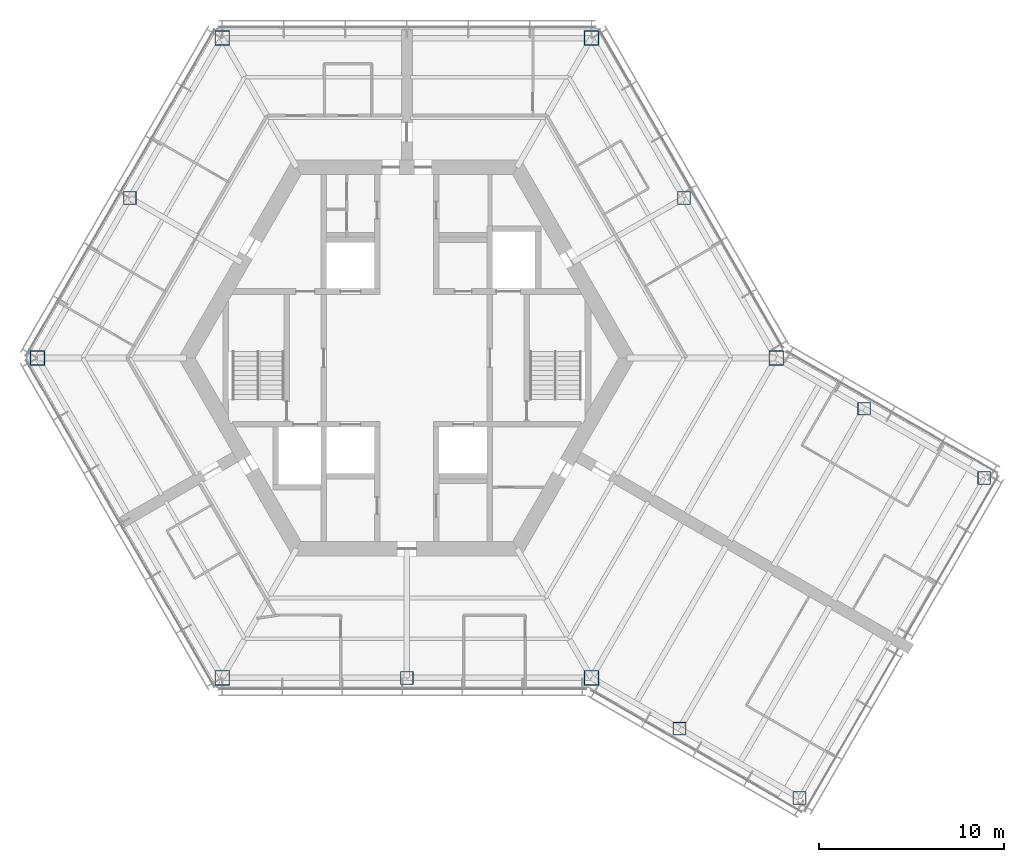
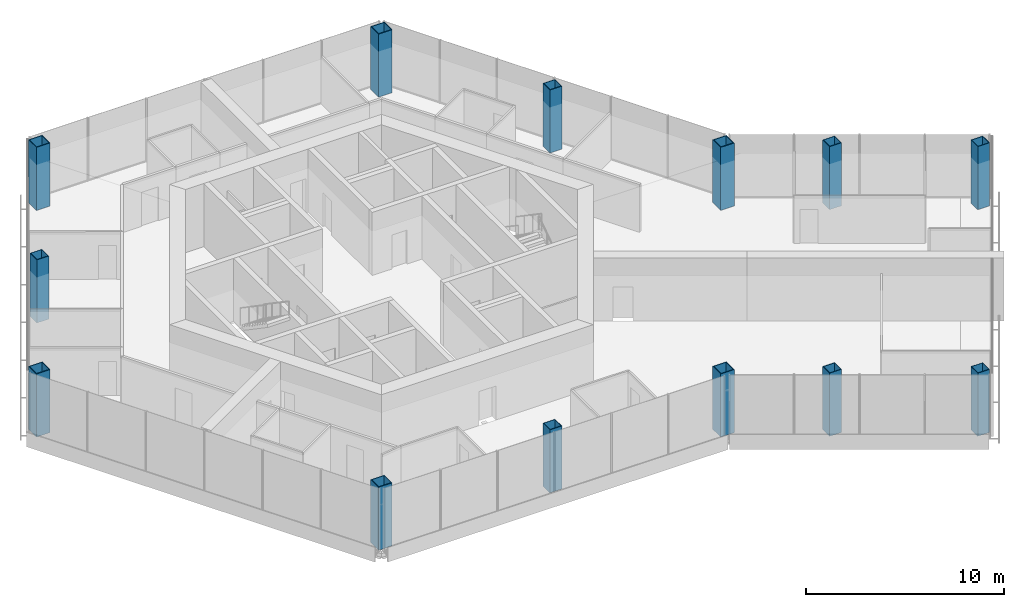
# One storey, part 1 of 16: 13 columns.
"""IFC4 building model written with IfcOpenShell, lengths in metres."""

import ifcopenshell
import ifcopenshell.guid

model = None  # the IFC model being written
_history = None  # IfcOwnerHistory: only IFC2X3 demands one
_inside = {}  # id of a spatial element -> (the spatial element, [elements in it])
_under = {}  # id of a project, library or spatial element -> (it, [spatial elements below it])
_declared = {}  # id of a project -> (the project, [libraries it declares])
_typed = {}  # id of a type object -> (the type object, [elements of that type])
_made_of = {}  # id of a material, layer set ... -> (it, [elements and type objects made of it])


def new_model(schema):
    """Start an empty IFC model of exactly this schema.

    Asked for "IFC4X3", IfcOpenShell would pick the latest addendum, in which some entities
    have other attributes; the version numbers below select the first issue.
    IFC2X3 requires an IfcOwnerHistory on every rooted entity: one is made here for all.
    """
    global model, _history
    if schema == "IFC4X3":
        model = ifcopenshell.file(schema_version=(4, 3, 0, 0))
    else:
        model = ifcopenshell.file(schema=schema)
    _inside.clear()
    _under.clear()
    _declared.clear()
    _typed.clear()
    _made_of.clear()
    _history = None
    if model.schema == "IFC2X3":
        org = make("IfcOrganization", Name="unknown")
        user = make(
            "IfcPersonAndOrganization",
            ThePerson=make("IfcPerson", FamilyName="unknown"),
            TheOrganization=org,
        )
        app = make(
            "IfcApplication",
            ApplicationDeveloper=org,
            Version="unknown",
            ApplicationFullName="unknown",
            ApplicationIdentifier="unknown",
        )
        _history = make(
            "IfcOwnerHistory",
            OwningUser=user,
            OwningApplication=app,
            ChangeAction="ADDED",
            CreationDate=0,
        )
    return model


def make(cls, **values):
    """One entity of the class cls with the attributes given. An attribute that is None is left unset."""
    return model.create_entity(
        cls, **{name: value for name, value in values.items() if value is not None}
    )


def rooted(cls, **values):
    """An entity with a GlobalId (a new one), such as an element, a storey or a relation."""
    return make(cls, GlobalId=ifcopenshell.guid.new(), OwnerHistory=_history, **values)


def si_unit(unit_type, name, prefix=None):
    """IfcSIUnit, for example si_unit("LENGTHUNIT", "METRE", prefix="MILLI")."""
    return make("IfcSIUnit", UnitType=unit_type, Prefix=prefix, Name=name)


def assignment(units):
    """IfcUnitAssignment: the units of a project."""
    return None if units is None else make("IfcUnitAssignment", Units=units)


def point(xyz):
    """IfcCartesianPoint."""
    return None if xyz is None else make("IfcCartesianPoint", Coordinates=xyz)


def direction(xyz):
    """IfcDirection."""
    return None if xyz is None else make("IfcDirection", DirectionRatios=xyz)


def frame(location, z_axis=None, x_axis=None):
    """IfcAxis2Placement3D, a coordinate frame: its origin and axes. An axis left out is left unset."""
    return make(
        "IfcAxis2Placement3D",
        Location=point(location),
        Axis=direction(z_axis),
        RefDirection=direction(x_axis),
    )


def frame_2d(location, x_axis=None):
    """IfcAxis2Placement2D, a coordinate frame in the plane: its origin and x axis."""
    return make(
        "IfcAxis2Placement2D", Location=point(location), RefDirection=direction(x_axis)
    )


def origin():
    """The frame at (0, 0, 0) with its axes left unset."""
    return frame((0.0, 0.0, 0.0))


def origin_2d():
    """The frame at (0, 0) in the plane with its x axis left unset."""
    return frame_2d((0.0, 0.0))


def place(relative_to, where):
    """IfcLocalPlacement: puts the frame where relative to a parent placement (None: the world)."""
    return make(
        "IfcLocalPlacement", PlacementRelTo=relative_to, RelativePlacement=where
    )


def context(
    kind, dimensions, precision=None, world=None, true_north=None, identifier=None
):
    """IfcGeometricRepresentationContext, for example the 3D "Model" context."""
    return make(
        "IfcGeometricRepresentationContext",
        ContextIdentifier=identifier,
        ContextType=kind,
        CoordinateSpaceDimension=dimensions,
        Precision=precision,
        WorldCoordinateSystem=world,
        TrueNorth=true_north,
    )


def subcontext(parent, identifier, kind, view, scale=None):
    """IfcGeometricRepresentationSubContext, for example "Body" below "Model"."""
    return make(
        "IfcGeometricRepresentationSubContext",
        ContextIdentifier=identifier,
        ContextType=kind,
        ParentContext=parent,
        TargetScale=scale,
        TargetView=view,
    )


def project(units=None, contexts=None):
    """IfcProject with its units and contexts."""
    return rooted(
        "IfcProject",
        Name="project",
        RepresentationContexts=contexts,
        UnitsInContext=assignment(units),
    )


def spatial(cls, under=None, at=None, **own):
    """A site, building, storey or space (cls), placed at a placement, below another one or the project."""
    s = rooted(cls, ObjectPlacement=at, **own)
    if under is not None:
        _under.setdefault(under.id(), (under, []))[1].append(s)
    return s


def profile(cls, at=None, kind="AREA", **sizes):
    """A parametric profile (cls). Its sizes go by their IFC names, for example OverallWidth=200.0."""
    return make(cls, ProfileType=kind, Position=at, **sizes)


def hollow_rectangle(**sizes):
    """IfcRectangleHollowProfileDef."""
    return profile("IfcRectangleHollowProfileDef", **sizes)


def extrude(swept, where, along, depth):
    """IfcExtrudedAreaSolid: the profile swept, set in the frame where, extruded along a direction by depth."""
    return make(
        "IfcExtrudedAreaSolid",
        SweptArea=swept,
        Position=where,
        ExtrudedDirection=direction(along),
        Depth=depth,
    )


def shape(context_of_items, identifier, shape_type, items):
    """IfcShapeRepresentation: the items that make up one representation, for example the "Body"."""
    return make(
        "IfcShapeRepresentation",
        ContextOfItems=context_of_items,
        RepresentationIdentifier=identifier,
        RepresentationType=shape_type,
        Items=items,
    )


def material(Name=None, Category=None):
    """IfcMaterial."""
    return make("IfcMaterial", Name=Name, Category=Category)


def material_profile(
    of_material, cross_section, Name=None, Category=None, Priority=None
):
    """IfcMaterialProfile: a cross section and its material."""
    return make(
        "IfcMaterialProfile",
        Name=Name,
        Material=of_material,
        Profile=cross_section,
        Priority=Priority,
        Category=Category,
    )


def profile_set(profiles, Name=None, composite=None):
    """IfcMaterialProfileSet."""
    return make(
        "IfcMaterialProfileSet",
        Name=Name,
        MaterialProfiles=profiles,
        CompositeProfile=composite,
    )


def made_of(thing, what):
    """Note that an element or type object is made of a material, layer set ...; save() writes the relation."""
    if what is not None:
        _made_of.setdefault(what.id(), (what, []))[1].append(thing)
    return thing


def type_object(cls, material=None, **own):
    """A type object (cls), such as IfcWallType, which elements share."""
    return made_of(rooted(cls, **own), material)


def element(
    cls,
    number,
    at=None,
    inside=None,
    cuts=None,
    type_object=None,
    material=None,
    context=None,
    identifier="Body",
    shape_type=None,
    held_by="IfcProductDefinitionShape",
    body=None,
    shapes=None,
    **own,
):
    """One element of the class cls, such as IfcWall. Its Tag is "e" and its number.

    at: its placement. inside: the storey or other place that contains it. cuts: it is an
    opening in that element (IfcRelVoidsElement). A single representation is given by context,
    identifier, shape_type and body (its items); several are given by shapes. held_by: the class
    of the entity that holds the representations. save() writes the other relations.
    """
    e = rooted(cls, Tag="e%d" % number, ObjectPlacement=at, **own)
    if body is not None:
        shapes = [shape(context, identifier, shape_type, body)]
    if shapes is not None:
        e.Representation = make(held_by, Representations=shapes)
    if inside is not None:
        _inside.setdefault(inside.id(), (inside, []))[1].append(e)
    if cuts is not None:
        rooted(
            "IfcRelVoidsElement", RelatingBuildingElement=cuts, RelatedOpeningElement=e
        )
    if type_object is not None:
        _typed.setdefault(type_object.id(), (type_object, []))[1].append(e)
    return made_of(e, material)


def aggregate(whole, parts):
    """IfcRelAggregates: a whole, such as a stair, and the parts it consists of."""
    return rooted("IfcRelAggregates", RelatingObject=whole, RelatedObjects=parts)


def save(model, path):
    """Write the relations noted so far, then the file.

    IfcRelAggregates (storeys below a building ...), IfcRelContainedInSpatialStructure (elements
    in a storey), IfcRelDefinesByType, IfcRelAssociatesMaterial and IfcRelDeclares: one each for
    every whole, place, type object, material and project.
    """
    for whole, parts in _under.values():
        aggregate(whole, parts)
    for where, things in _inside.values():
        rooted(
            "IfcRelContainedInSpatialStructure",
            RelatedElements=things,
            RelatingStructure=where,
        )
    for kind, things in _typed.values():
        rooted("IfcRelDefinesByType", RelatedObjects=things, RelatingType=kind)
    for what, things in _made_of.values():
        rooted("IfcRelAssociatesMaterial", RelatedObjects=things, RelatingMaterial=what)
    for by, libraries in _declared.values():
        rooted("IfcRelDeclares", RelatingContext=by, RelatedDefinitions=libraries)
    model.write(path)


model = new_model("IFC4")

# Units and contexts
model_context = context("Model", 3, precision=1e-05, world=origin(), true_north=direction((0.0, 1.0)))
body_context = subcontext(model_context, "Body", "Model", "MODEL_VIEW")
ifc_project = project(units=[si_unit("LENGTHUNIT", "METRE"), si_unit("AREAUNIT", "SQUARE_METRE"), si_unit("VOLUMEUNIT", "CUBIC_METRE"), si_unit("PLANEANGLEUNIT", "RADIAN"), si_unit("MASSUNIT", "GRAM", prefix="KILO")], contexts=[model_context])

# Site, building, storey
site_placement = place(None, origin())
site = spatial("IfcSite", under=ifc_project, at=site_placement, CompositionType="ELEMENT")
building_placement = place(site_placement, origin())
building = spatial("IfcBuilding", under=site, at=building_placement, Name="Kasaneha Research Tower", CompositionType="ELEMENT")
storey_placement = place(building_placement, frame((0.0, 0.0, 263.5)))
storey = spatial("IfcBuildingStorey", under=building, at=storey_placement, Name="L66", CompositionType="ELEMENT", Elevation=263.5)

# Columns
ifc_material_1 = material(Name="Steel SN490C", Category="steel")
ifc_material_profile_1 = material_profile(ifc_material_1, hollow_rectangle(XDim=0.800048828125, YDim=0.800048828125, WallThickness=0.0400390625, at=origin_2d()), Name="BOX-800x800x40")
ifc_profile_set_1 = profile_set([ifc_material_profile_1], Name="Steel SN490C")
column_type_1 = type_object("IfcColumnType", Name="C4A column BOX-800x800x40", PredefinedType="COLUMN", material=ifc_profile_set_1)
for number, where, z_axis, x_axis, name in (
    (1, (20.0, 0.0, 0.0), (0.0, 0.0, 1.0), (1.0, 0.0, 0.0), "Column V0 L66"),
    (2, (10.0, 17.320556640625, 0.0), (0.0, 0.0, 1.0), (1.0, 0.0, 0.0), "Column V1 L66"),
    (3, (-10.0, 17.320556640625, 0.0), (0.0, 0.0, 1.0), (1.0, 0.0, 0.0), "Column V2 L66"),
    (4, (-20.0, 0.0, 0.0), (0.0, 0.0, 1.0), (1.0, 0.0, 0.0), "Column V3 L66"),
    (5, (-10.0, -17.320556640625, 0.0), (0.0, 0.0, 1.0), (1.0, 0.0, 0.0), "Column V4 L66"),
    (6, (10.0, -17.320556640625, 0.0), (0.0, 0.0, 1.0), (1.0, 0.0, 0.0), "Column V5 L66"),
):
    element("IfcColumn", number, at=place(storey_placement, frame(where, z_axis=z_axis, x_axis=x_axis)), inside=storey, type_object=column_type_1, Name=name, PredefinedType="COLUMN", context=body_context, shape_type="SweptSolid", body=[
        extrude(hollow_rectangle(XDim=0.800048828125, YDim=0.800048828125, WallThickness=0.0400390625, at=origin_2d()), origin(), (0.0, 0.0, 1.0), 3.89990234375),
    ])
ifc_material_2 = material(Name="Steel SN490C", Category="steel")
ifc_material_profile_2 = material_profile(ifc_material_2, hollow_rectangle(XDim=0.699951171875, YDim=0.699951171875, WallThickness=0.031982421875, at=origin_2d()), Name="BOX-700x700x32")
ifc_profile_set_2 = profile_set([ifc_material_profile_2], Name="Steel SN490C")
column_type_2 = type_object("IfcColumnType", Name="C4B column BOX-700x700x32", PredefinedType="COLUMN", material=ifc_profile_set_2)
for number, where, z_axis, x_axis, name in (
    (7, (15.0, 8.66015625, 0.0), (0.0, 0.0, 1.0), (1.0, 0.0, 0.0), "Column M030 L66"),
    (8, (-15.0, 8.66015625, 0.0), (0.0, 0.0, 1.0), (1.0, 0.0, 0.0), "Column M150 L66"),
    (9, (0.0, -17.320556640625, 0.0), (0.0, 0.0, 1.0), (1.0, 0.0, 0.0), "Column M270 L66"),
    (10, (14.76318359375, -20.070556640625, 0.0), (0.0, 0.0, 1.0), (1.0, 0.0, 0.0), "Column CSP L66"),
    (11, (21.25830078125, -23.820556640625, 0.0), (0.0, 0.0, 1.0), (1.0, 0.0, 0.0), "Column CTP L66"),
    (12, (24.76318359375, -2.75, 0.0), (0.0, 0.0, 1.0), (1.0, 0.0, 0.0), "Column CSN L66"),
    (13, (31.25830078125, -6.5, 0.0), (0.0, 0.0, 1.0), (1.0, 0.0, 0.0), "Column CTN L66"),
):
    element("IfcColumn", number, at=place(storey_placement, frame(where, z_axis=z_axis, x_axis=x_axis)), inside=storey, type_object=column_type_2, Name=name, PredefinedType="COLUMN", context=body_context, shape_type="SweptSolid", body=[
        extrude(hollow_rectangle(XDim=0.699951171875, YDim=0.699951171875, WallThickness=0.031982421875, at=origin_2d()), origin(), (0.0, 0.0, 1.0), 3.89990234375),
    ])

save(model, "model.ifc")
